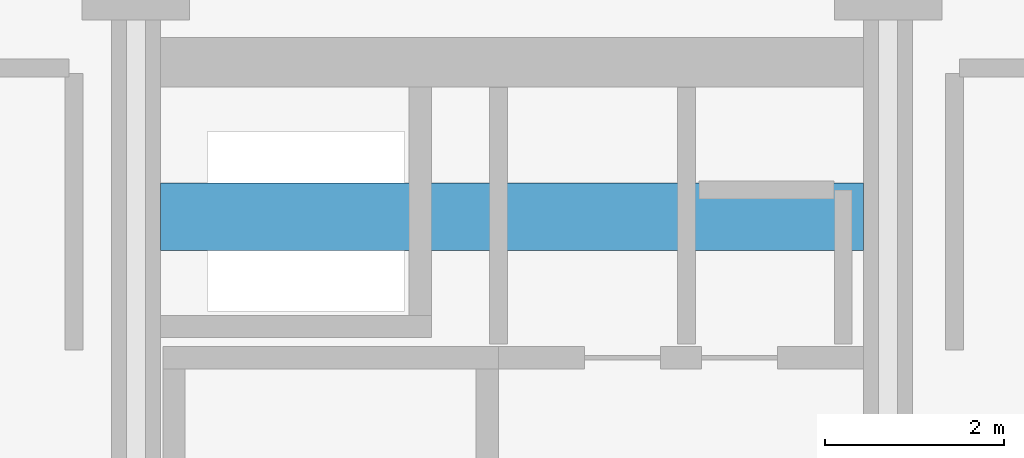
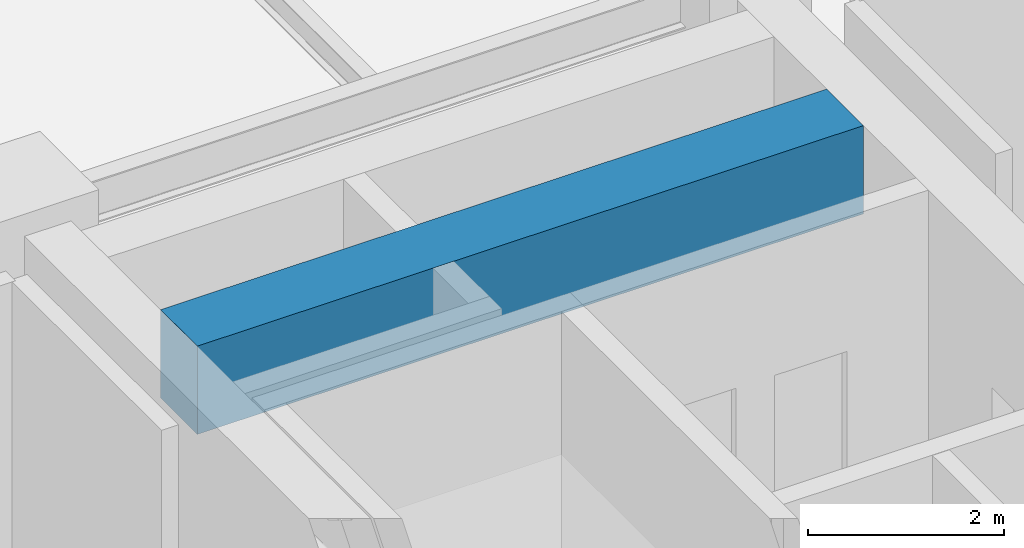
# One storey, part 17 of 29: 1 beam.
"""IFC4 building model written with IfcOpenShell, lengths in metres."""

from ifc_helpers import new_model, si_unit, direction, frame, origin, origin_2d, place, context, subcontext, project, spatial, rectangle, extrude, material, material_profile, profile_set, type_object, element, save


model = new_model("IFC4")

# Units and contexts
model_context = context("Model", 3, precision=1e-05, world=origin(), true_north=direction((0.0, 1.0)))
body_context = subcontext(model_context, "Body", "Model", "MODEL_VIEW")
ifc_project = project(units=[si_unit("LENGTHUNIT", "METRE"), si_unit("AREAUNIT", "SQUARE_METRE"), si_unit("VOLUMEUNIT", "CUBIC_METRE"), si_unit("PLANEANGLEUNIT", "RADIAN"), si_unit("MASSUNIT", "GRAM", prefix="KILO")], contexts=[model_context])

# Site, building, storey
site_placement = place(None, origin())
site = spatial("IfcSite", under=ifc_project, at=site_placement, CompositionType="ELEMENT")
building_placement = place(site_placement, origin())
building = spatial("IfcBuilding", under=site, at=building_placement, Name="Nerrivon Quay Data Exchange", CompositionType="ELEMENT")
storey_placement = place(building_placement, frame((0.0, 0.0, 145.89990234375)))
storey = spatial("IfcBuildingStorey", under=building, at=storey_placement, Name="L34", CompositionType="ELEMENT", Elevation=145.89990234375)

# Beam
ifc_material = material(Name="Concrete S65 (65 MPa)", Category="concrete")
ifc_material_profile = material_profile(ifc_material, rectangle(XDim=0.75, YDim=1.10009765625, at=origin_2d()), Name="RC-CB-750x1100")
ifc_profile_set = profile_set([ifc_material_profile], Name="Concrete S65 (65 MPa)")
beam_type = type_object("IfcBeamType", Name="BM-CB1-750x1100", PredefinedType="LINTEL", material=ifc_profile_set)
beam_placement = place(storey_placement, frame((8.675048828125, 39.199951171875, 3.275146484375), z_axis=(1.0, 0.0, 0.0), x_axis=(0.0, 1.0, 0.0)))
element("IfcBeam", 1, at=beam_placement, inside=storey, type_object=beam_type, Name="L34 West Core Coupling Beam", PredefinedType="LINTEL", context=body_context, shape_type="SweptSolid", body=[
    extrude(rectangle(XDim=0.75, YDim=1.10009765625, at=origin_2d()), origin(), (0.0, 0.0, 1.0), 7.849853515625),
])

save(model, "model.ifc")
